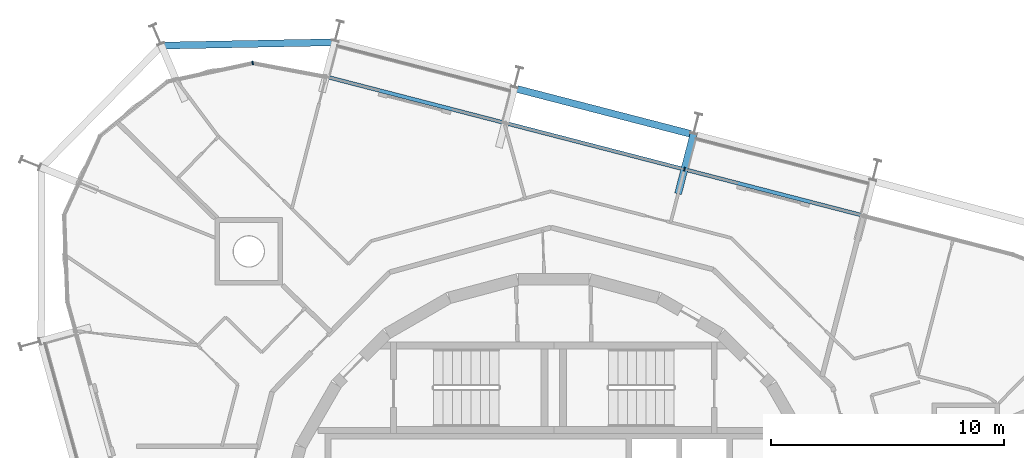
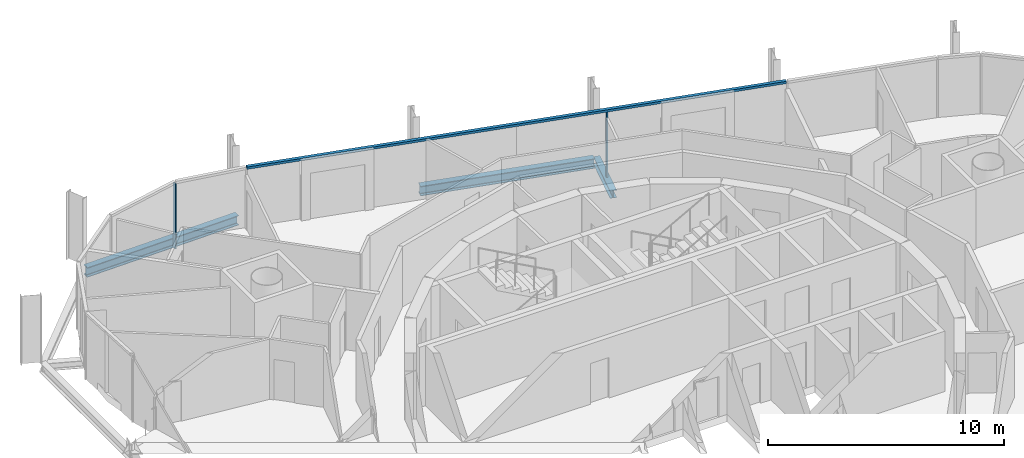
# One storey, part 6 of 15: 3 beams, 3 members, 2 elements without a shape of their own.
"""IFC4 building model written with IfcOpenShell, lengths in metres."""

from ifc_helpers import new_model, si_unit, direction, frame, origin, origin_2d, place, context, subcontext, project, spatial, rectangle, i_section, extrude, material, layer, layer_set, material_profile, profile_set, type_object, element, aggregate, save


model = new_model("IFC4")

# Units and contexts
model_context = context("Model", 3, precision=1e-05, world=origin(), true_north=direction((0.0, 1.0)))
body_context = subcontext(model_context, "Body", "Model", "MODEL_VIEW")
ifc_project = project(units=[si_unit("LENGTHUNIT", "METRE"), si_unit("AREAUNIT", "SQUARE_METRE"), si_unit("VOLUMEUNIT", "CUBIC_METRE"), si_unit("PLANEANGLEUNIT", "RADIAN"), si_unit("MASSUNIT", "GRAM", prefix="KILO")], contexts=[model_context])

# Site, building, storey
site_placement = place(None, origin())
site = spatial("IfcSite", under=ifc_project, at=site_placement, CompositionType="ELEMENT")
building_placement = place(site_placement, origin())
building = spatial("IfcBuilding", under=site, at=building_placement, Name="Spindle Arch Residences", CompositionType="ELEMENT")
storey_placement = place(building_placement, frame((0.0, 0.0, 308.699951171875)))
storey = spatial("IfcBuildingStorey", under=building, at=storey_placement, Name="L79", CompositionType="ELEMENT", Elevation=308.699951171875)

# Curtain wall, member
ifc_material_1 = material(Name="Aluminium bronze unitised frame with tinted glass", Category="aluminium")
ifc_layer_1 = layer(ifc_material_1, 0.159912109375)
ifc_layer_set_1 = layer_set([ifc_layer_1], Name="CW-C typical residential unitised wall")
curtain_wall_type_1 = type_object("IfcCurtainWallType", Name="CW-C typical residential unitised wall", PredefinedType="NOTDEFINED", material=ifc_layer_set_1)
curtain_wall_1_placement = place(storey_placement, origin())
curtain_wall_1 = element("IfcCurtainWall", 1, at=curtain_wall_1_placement, inside=storey, type_object=curtain_wall_type_1, Name="CW-C L79 run 2", PredefinedType="NOTDEFINED")
ifc_material_2 = material(Name="Aluminium bronze anodised mullion", Category="aluminium")
ifc_material_profile_1 = material_profile(ifc_material_2, rectangle(XDim=0.159912109375, YDim=0.06005859375, at=origin_2d()), Name="MU 60x160")
ifc_profile_set_1 = profile_set([ifc_material_profile_1], Name="Aluminium bronze anodised mullion")
member_type_1 = type_object("IfcMemberType", Name="Bronze mullion 60x160", PredefinedType="MULLION", material=ifc_profile_set_1)
member_1_placement = place(storey_placement, frame((5.59814453125, 16.3642578125, -0.3798828125), z_axis=(0.0, 0.0, 1.0), x_axis=(-0.250380004054, -0.968147640378, 0.0)))
member_1 = element("IfcMember", 2, at=member_1_placement, type_object=member_type_1, Name="CW-C mullion 06", PredefinedType="MULLION", context=body_context, shape_type="SweptSolid", body=[
    extrude(rectangle(XDim=0.159912109375, YDim=0.06005859375, at=origin_2d()), origin(), (0.0, 0.0, 1.0), 3.3798828125),
])

ifc_material_3 = material(Name="Aluminium bronze unitised frame with tinted glass", Category="aluminium")
ifc_layer_2 = layer(ifc_material_3, 0.159912109375)
ifc_layer_set_2 = layer_set([ifc_layer_2], Name="CW-D corner wall on the fillet arcs")
curtain_wall_type_2 = type_object("IfcCurtainWallType", Name="CW-D corner wall on the fillet arcs", PredefinedType="NOTDEFINED", material=ifc_layer_set_2)
curtain_wall_2_placement = place(storey_placement, origin())
curtain_wall_2 = element("IfcCurtainWall", 3, at=curtain_wall_2_placement, inside=storey, type_object=curtain_wall_type_2, Name="CW-D L79 run 3", PredefinedType="NOTDEFINED")
member_2_placement = place(storey_placement, frame((-12.908935546875, 20.925537109375, -0.3798828125), z_axis=(0.0, 0.0, 1.0), x_axis=(0.210756129184, -0.977538671364, 0.0)))
member_2 = element("IfcMember", 4, at=member_2_placement, type_object=member_type_1, Name="CW-D mullion 01", PredefinedType="MULLION", context=body_context, shape_type="SweptSolid", body=[
    extrude(rectangle(XDim=0.159912109375, YDim=0.06005859375, at=origin_2d()), origin(), (0.0, 0.0, 1.0), 3.3798828125),
])
aggregate(curtain_wall_2, [member_2])

# Member
ifc_material_4 = material(Name="Aluminium bronze anodised transom", Category="aluminium")
ifc_material_profile_2 = material_profile(ifc_material_4, rectangle(XDim=0.159912109375, YDim=0.1201171875, at=origin_2d()), Name="TR 120x160")
ifc_profile_set_2 = profile_set([ifc_material_profile_2], Name="Aluminium bronze anodised transom")
member_type_2 = type_object("IfcMemberType", Name="Bronze transom 120x160", PredefinedType="USERDEFINED", material=ifc_profile_set_2)
member_3_placement = place(storey_placement, frame((13.25146484375, 14.385009765625, 3.06005859375), z_axis=(-0.96814815777, 0.250378003441, 0.0), x_axis=(-0.250378003441, -0.96814815777, 0.0)))
member_3 = element("IfcMember", 5, at=member_3_placement, type_object=member_type_2, Name="CW-C transom 00", ObjectType="TRANSOM", PredefinedType="USERDEFINED", context=body_context, shape_type="SweptSolid", body=[
    extrude(rectangle(XDim=0.159912109375, YDim=0.1201171875, at=origin_2d()), origin(), (0.0, 0.0, 1.0), 23.745361328125),
])

aggregate(curtain_wall_1, [member_3, member_1])

# Beams
ifc_material_5 = material(Name="Steel S460ML, intumescent coating R 120", Category="steel")
ifc_material_profile_3 = material_profile(ifc_material_5, i_section(OverallWidth=0.300048828125, OverallDepth=0.5, WebThickness=0.014404296875, FlangeThickness=0.028076171875, FilletRadius=0.027099609375, at=origin_2d()), Name="HEB 500")
ifc_profile_set_3 = profile_set([ifc_material_profile_3], Name="Steel S460ML, intumescent coating R 120")
beam_type_1 = type_object("IfcBeamType", Name="Exoskeleton edge beam HEB 500", PredefinedType="BEAM", material=ifc_profile_set_3)
beam_1_placement = place(storey_placement, frame((5.85791015625, 17.8876953125, -0.6298828125), z_axis=(-0.968149836341, 0.250371512743, 0.0), x_axis=(-0.250371512743, -0.968149836341, 0.0)))
element("IfcBeam", 6, at=beam_1_placement, inside=storey, type_object=beam_type_1, Name="Exoskeleton edge beam 7", PredefinedType="BEAM", context=body_context, shape_type="SweptSolid", body=[
    extrude(i_section(OverallWidth=0.300048828125, OverallDepth=0.5, WebThickness=0.014404296875, FlangeThickness=0.028076171875, FilletRadius=0.027099609375, at=origin_2d()), origin(), (0.0, 0.0, 1.0), 7.675048828125),
])
beam_2_placement = place(storey_placement, frame((-9.355224609375, 21.812255859375, -0.6298828125), z_axis=(-0.999816137615, -0.019175269612, 0.0), x_axis=(0.019175269612, -0.999816137615, 0.0)))
element("IfcBeam", 7, at=beam_2_placement, inside=storey, type_object=beam_type_1, Name="Exoskeleton edge beam 9", PredefinedType="BEAM", context=body_context, shape_type="SweptSolid", body=[
    extrude(i_section(OverallWidth=0.300048828125, OverallDepth=0.5, WebThickness=0.014404296875, FlangeThickness=0.028076171875, FilletRadius=0.027099609375, at=origin_2d()), origin(), (0.0, 0.0, 1.0), 7.499267578125),
])
ifc_material_6 = material(Name="Steel S460ML, intumescent coating R 120", Category="steel")
ifc_material_profile_4 = material_profile(ifc_material_6, i_section(OverallWidth=0.300048828125, OverallDepth=0.389892578125, WebThickness=0.010986328125, FlangeThickness=0.01904296875, FilletRadius=0.027099609375, at=origin_2d()), Name="HEA 400")
ifc_profile_set_4 = profile_set([ifc_material_profile_4], Name="Steel S460ML, intumescent coating R 120")
beam_type_2 = type_object("IfcBeamType", Name="Floor outrigger HEA 400", PredefinedType="BEAM", material=ifc_profile_set_4)
beam_3_placement = place(storey_placement, frame((5.9912109375, 17.88427734375, -0.574951171875), z_axis=(-0.250396221036, -0.968143446237, 0.0), x_axis=(0.968143446237, -0.250396221036, 0.0)))
element("IfcBeam", 8, at=beam_3_placement, inside=storey, type_object=beam_type_2, Name="Floor outrigger 7", PredefinedType="BEAM", context=body_context, shape_type="SweptSolid", body=[
    extrude(i_section(OverallWidth=0.300048828125, OverallDepth=0.389892578125, WebThickness=0.010986328125, FlangeThickness=0.01904296875, FilletRadius=0.027099609375, at=origin_2d()), origin(), (0.0, 0.0, 1.0), 2.650146484375),
])

save(model, "model.ifc")
